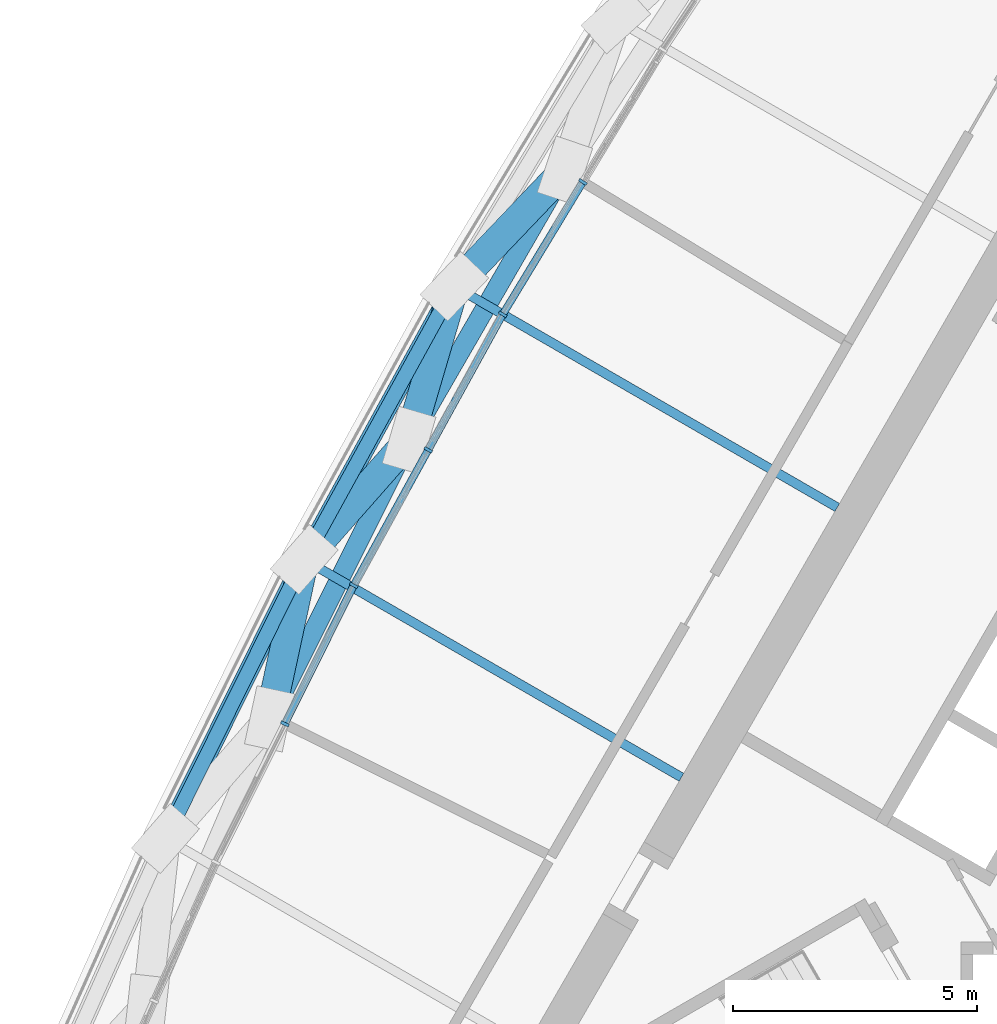
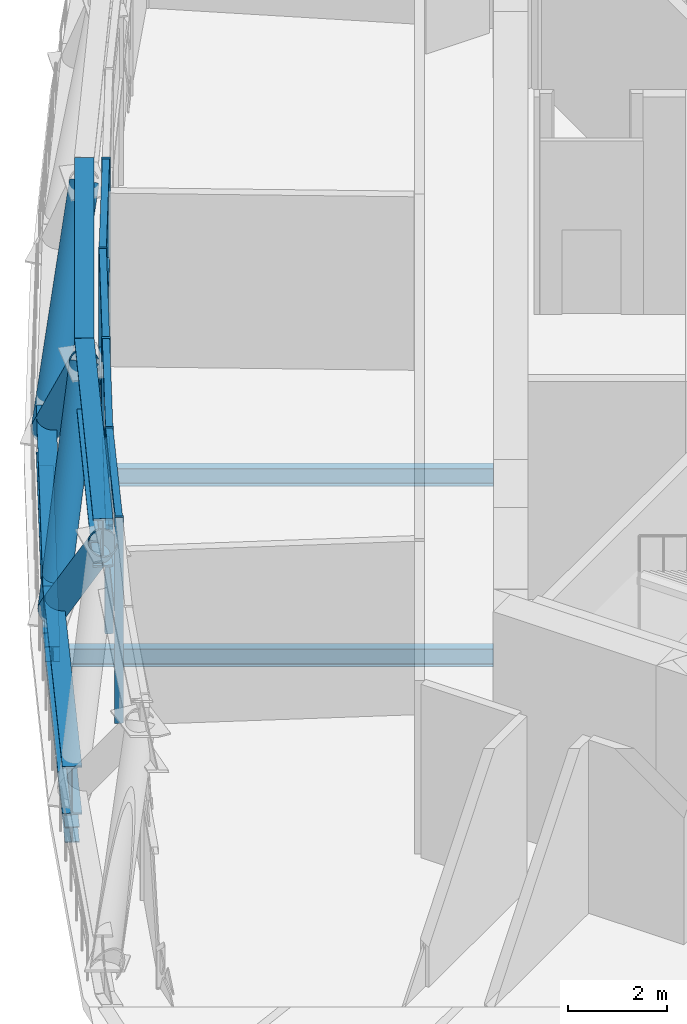
# One storey, part 4 of 33: 21 members, 4 beams, 1 element without a shape of its own.
"""IFC4 building model written with IfcOpenShell, lengths in metres."""

import ifcopenshell
import ifcopenshell.guid

model = None  # the IFC model being written
_history = None  # IfcOwnerHistory: only IFC2X3 demands one
_inside = {}  # id of a spatial element -> (the spatial element, [elements in it])
_under = {}  # id of a project, library or spatial element -> (it, [spatial elements below it])
_declared = {}  # id of a project -> (the project, [libraries it declares])
_typed = {}  # id of a type object -> (the type object, [elements of that type])
_made_of = {}  # id of a material, layer set ... -> (it, [elements and type objects made of it])


def new_model(schema):
    """Start an empty IFC model of exactly this schema.

    Asked for "IFC4X3", IfcOpenShell would pick the latest addendum, in which some entities
    have other attributes; the version numbers below select the first issue.
    IFC2X3 requires an IfcOwnerHistory on every rooted entity: one is made here for all.
    """
    global model, _history
    if schema == "IFC4X3":
        model = ifcopenshell.file(schema_version=(4, 3, 0, 0))
    else:
        model = ifcopenshell.file(schema=schema)
    _inside.clear()
    _under.clear()
    _declared.clear()
    _typed.clear()
    _made_of.clear()
    _history = None
    if model.schema == "IFC2X3":
        org = make("IfcOrganization", Name="unknown")
        user = make(
            "IfcPersonAndOrganization",
            ThePerson=make("IfcPerson", FamilyName="unknown"),
            TheOrganization=org,
        )
        app = make(
            "IfcApplication",
            ApplicationDeveloper=org,
            Version="unknown",
            ApplicationFullName="unknown",
            ApplicationIdentifier="unknown",
        )
        _history = make(
            "IfcOwnerHistory",
            OwningUser=user,
            OwningApplication=app,
            ChangeAction="ADDED",
            CreationDate=0,
        )
    return model


def make(cls, **values):
    """One entity of the class cls with the attributes given. An attribute that is None is left unset."""
    return model.create_entity(
        cls, **{name: value for name, value in values.items() if value is not None}
    )


def rooted(cls, **values):
    """An entity with a GlobalId (a new one), such as an element, a storey or a relation."""
    return make(cls, GlobalId=ifcopenshell.guid.new(), OwnerHistory=_history, **values)


def si_unit(unit_type, name, prefix=None):
    """IfcSIUnit, for example si_unit("LENGTHUNIT", "METRE", prefix="MILLI")."""
    return make("IfcSIUnit", UnitType=unit_type, Prefix=prefix, Name=name)


def assignment(units):
    """IfcUnitAssignment: the units of a project."""
    return None if units is None else make("IfcUnitAssignment", Units=units)


def point(xyz):
    """IfcCartesianPoint."""
    return None if xyz is None else make("IfcCartesianPoint", Coordinates=xyz)


def direction(xyz):
    """IfcDirection."""
    return None if xyz is None else make("IfcDirection", DirectionRatios=xyz)


def frame(location, z_axis=None, x_axis=None):
    """IfcAxis2Placement3D, a coordinate frame: its origin and axes. An axis left out is left unset."""
    return make(
        "IfcAxis2Placement3D",
        Location=point(location),
        Axis=direction(z_axis),
        RefDirection=direction(x_axis),
    )


def frame_2d(location, x_axis=None):
    """IfcAxis2Placement2D, a coordinate frame in the plane: its origin and x axis."""
    return make(
        "IfcAxis2Placement2D", Location=point(location), RefDirection=direction(x_axis)
    )


def origin():
    """The frame at (0, 0, 0) with its axes left unset."""
    return frame((0.0, 0.0, 0.0))


def origin_2d():
    """The frame at (0, 0) in the plane with its x axis left unset."""
    return frame_2d((0.0, 0.0))


def place(relative_to, where):
    """IfcLocalPlacement: puts the frame where relative to a parent placement (None: the world)."""
    return make(
        "IfcLocalPlacement", PlacementRelTo=relative_to, RelativePlacement=where
    )


def context(
    kind, dimensions, precision=None, world=None, true_north=None, identifier=None
):
    """IfcGeometricRepresentationContext, for example the 3D "Model" context."""
    return make(
        "IfcGeometricRepresentationContext",
        ContextIdentifier=identifier,
        ContextType=kind,
        CoordinateSpaceDimension=dimensions,
        Precision=precision,
        WorldCoordinateSystem=world,
        TrueNorth=true_north,
    )


def subcontext(parent, identifier, kind, view, scale=None):
    """IfcGeometricRepresentationSubContext, for example "Body" below "Model"."""
    return make(
        "IfcGeometricRepresentationSubContext",
        ContextIdentifier=identifier,
        ContextType=kind,
        ParentContext=parent,
        TargetScale=scale,
        TargetView=view,
    )


def project(units=None, contexts=None):
    """IfcProject with its units and contexts."""
    return rooted(
        "IfcProject",
        Name="project",
        RepresentationContexts=contexts,
        UnitsInContext=assignment(units),
    )


def spatial(cls, under=None, at=None, **own):
    """A site, building, storey or space (cls), placed at a placement, below another one or the project."""
    s = rooted(cls, ObjectPlacement=at, **own)
    if under is not None:
        _under.setdefault(under.id(), (under, []))[1].append(s)
    return s


def profile(cls, at=None, kind="AREA", **sizes):
    """A parametric profile (cls). Its sizes go by their IFC names, for example OverallWidth=200.0."""
    return make(cls, ProfileType=kind, Position=at, **sizes)


def rectangle(**sizes):
    """IfcRectangleProfileDef."""
    return profile("IfcRectangleProfileDef", **sizes)


def hollow_circle(**sizes):
    """IfcCircleHollowProfileDef."""
    return profile("IfcCircleHollowProfileDef", **sizes)


def i_section(**sizes):
    """IfcIShapeProfileDef."""
    return profile("IfcIShapeProfileDef", **sizes)


def extrude(swept, where, along, depth):
    """IfcExtrudedAreaSolid: the profile swept, set in the frame where, extruded along a direction by depth."""
    return make(
        "IfcExtrudedAreaSolid",
        SweptArea=swept,
        Position=where,
        ExtrudedDirection=direction(along),
        Depth=depth,
    )


def shape(context_of_items, identifier, shape_type, items):
    """IfcShapeRepresentation: the items that make up one representation, for example the "Body"."""
    return make(
        "IfcShapeRepresentation",
        ContextOfItems=context_of_items,
        RepresentationIdentifier=identifier,
        RepresentationType=shape_type,
        Items=items,
    )


def material(Name=None, Category=None):
    """IfcMaterial."""
    return make("IfcMaterial", Name=Name, Category=Category)


def material_profile(
    of_material, cross_section, Name=None, Category=None, Priority=None
):
    """IfcMaterialProfile: a cross section and its material."""
    return make(
        "IfcMaterialProfile",
        Name=Name,
        Material=of_material,
        Profile=cross_section,
        Priority=Priority,
        Category=Category,
    )


def profile_set(profiles, Name=None, composite=None):
    """IfcMaterialProfileSet."""
    return make(
        "IfcMaterialProfileSet",
        Name=Name,
        MaterialProfiles=profiles,
        CompositeProfile=composite,
    )


def made_of(thing, what):
    """Note that an element or type object is made of a material, layer set ...; save() writes the relation."""
    if what is not None:
        _made_of.setdefault(what.id(), (what, []))[1].append(thing)
    return thing


def type_object(cls, material=None, **own):
    """A type object (cls), such as IfcWallType, which elements share."""
    return made_of(rooted(cls, **own), material)


def element(
    cls,
    number,
    at=None,
    inside=None,
    cuts=None,
    type_object=None,
    material=None,
    context=None,
    identifier="Body",
    shape_type=None,
    held_by="IfcProductDefinitionShape",
    body=None,
    shapes=None,
    **own,
):
    """One element of the class cls, such as IfcWall. Its Tag is "e" and its number.

    at: its placement. inside: the storey or other place that contains it. cuts: it is an
    opening in that element (IfcRelVoidsElement). A single representation is given by context,
    identifier, shape_type and body (its items); several are given by shapes. held_by: the class
    of the entity that holds the representations. save() writes the other relations.
    """
    e = rooted(cls, Tag="e%d" % number, ObjectPlacement=at, **own)
    if body is not None:
        shapes = [shape(context, identifier, shape_type, body)]
    if shapes is not None:
        e.Representation = make(held_by, Representations=shapes)
    if inside is not None:
        _inside.setdefault(inside.id(), (inside, []))[1].append(e)
    if cuts is not None:
        rooted(
            "IfcRelVoidsElement", RelatingBuildingElement=cuts, RelatedOpeningElement=e
        )
    if type_object is not None:
        _typed.setdefault(type_object.id(), (type_object, []))[1].append(e)
    return made_of(e, material)


def aggregate(whole, parts):
    """IfcRelAggregates: a whole, such as a stair, and the parts it consists of."""
    return rooted("IfcRelAggregates", RelatingObject=whole, RelatedObjects=parts)


def save(model, path):
    """Write the relations noted so far, then the file.

    IfcRelAggregates (storeys below a building ...), IfcRelContainedInSpatialStructure (elements
    in a storey), IfcRelDefinesByType, IfcRelAssociatesMaterial and IfcRelDeclares: one each for
    every whole, place, type object, material and project.
    """
    for whole, parts in _under.values():
        aggregate(whole, parts)
    for where, things in _inside.values():
        rooted(
            "IfcRelContainedInSpatialStructure",
            RelatedElements=things,
            RelatingStructure=where,
        )
    for kind, things in _typed.values():
        rooted("IfcRelDefinesByType", RelatedObjects=things, RelatingType=kind)
    for what, things in _made_of.values():
        rooted("IfcRelAssociatesMaterial", RelatedObjects=things, RelatingMaterial=what)
    for by, libraries in _declared.values():
        rooted("IfcRelDeclares", RelatingContext=by, RelatedDefinitions=libraries)
    model.write(path)


model = new_model("IFC4")

# Units and contexts
model_context = context("Model", 3, precision=1e-05, world=origin(), true_north=direction((0.0, 1.0)))
body_context = subcontext(model_context, "Body", "Model", "MODEL_VIEW")
ifc_project = project(units=[si_unit("LENGTHUNIT", "METRE"), si_unit("AREAUNIT", "SQUARE_METRE"), si_unit("VOLUMEUNIT", "CUBIC_METRE"), si_unit("PLANEANGLEUNIT", "RADIAN"), si_unit("MASSUNIT", "GRAM", prefix="KILO")], contexts=[model_context])

# Site, building, storey
site_placement = place(None, origin())
site = spatial("IfcSite", under=ifc_project, at=site_placement, CompositionType="ELEMENT")
building_placement = place(site_placement, origin())
building = spatial("IfcBuilding", under=site, at=building_placement, Name="Mestral Congress Tower", CompositionType="ELEMENT")
storey_placement = place(building_placement, frame((0.0, 0.0, 256.199951171875)))
storey = spatial("IfcBuildingStorey", under=building, at=storey_placement, Name="L60", CompositionType="ELEMENT", Elevation=256.199951171875)

# Members
ifc_material_1 = material(Name="Steel S355", Category="steel")
ifc_material_profile_1 = material_profile(ifc_material_1, i_section(OverallWidth=0.39990234375, OverallDepth=1.199951171875, WebThickness=0.02001953125, FlangeThickness=0.0400390625, FilletRadius=0.010009765625, at=origin_2d()), Name="WPG 1200")
ifc_profile_set_1 = profile_set([ifc_material_profile_1], Name="Steel S355")
member_type_1 = type_object("IfcMemberType", Name="Belt chord WPG 1200 S355", PredefinedType="CHORD", material=ifc_profile_set_1)
member_1_placement = place(storey_placement, frame((-16.827392578125, 9.71533203125, 0.60009765625), z_axis=(-0.481936323111, -0.876206243111, 0.0), x_axis=(0.876206243111, -0.481936323111, 0.0)))
element("IfcMember", 1, at=member_1_placement, inside=storey, type_object=member_type_1, Name="MB-L60-BC4-W03", PredefinedType="CHORD", context=body_context, shape_type="SweptSolid", body=[
    extrude(i_section(OverallWidth=0.39990234375, OverallDepth=1.199951171875, WebThickness=0.02001953125, FlangeThickness=0.0400390625, FilletRadius=0.010009765625, at=origin_2d()), origin(), (0.0, 0.0, 1.0), 6.399658203125),
])
member_2_placement = place(storey_placement, frame((-19.91162109375, 4.10791015625, 0.60009765625), z_axis=(-0.445137018466, -0.895462469784, 0.0), x_axis=(0.895462469784, -0.445137018466, 0.0)))
element("IfcMember", 2, at=member_2_placement, inside=storey, type_object=member_type_1, Name="MB-L60-BC4-W04", PredefinedType="CHORD", context=body_context, shape_type="SweptSolid", body=[
    extrude(i_section(OverallWidth=0.39990234375, OverallDepth=1.199951171875, WebThickness=0.02001953125, FlangeThickness=0.0400390625, FilletRadius=0.010009765625, at=origin_2d()), origin(), (0.0, 0.0, 1.0), 6.3994140625),
])
for number, where, z_axis, x_axis, name in (
    (3, (-14.55615234375, 12.098388671875, 4.5), (-0.499992166441, -0.866029926444, 0.0), (0.866029926444, -0.499992166441, 0.0), "MB-L60-TC4-W02"),
    (4, (-17.755615234375, 6.556640625, 4.5), (-0.447457757693, -0.89430506824, 0.0), (0.89430506824, -0.447457757693, 0.0), "MB-L60-TC4-W03"),
):
    element("IfcMember", number, at=place(storey_placement, frame(where, z_axis=z_axis, x_axis=x_axis)), inside=storey, type_object=member_type_1, Name=name, PredefinedType="CHORD", context=body_context, shape_type="SweptSolid", body=[
        extrude(i_section(OverallWidth=0.39990234375, OverallDepth=1.199951171875, WebThickness=0.02001953125, FlangeThickness=0.0400390625, FilletRadius=0.010009765625, at=origin_2d()), origin(), (0.0, 0.0, 1.0), 6.39892578125),
    ])
ifc_material_profile_2 = material_profile(ifc_material_1, hollow_circle(Radius=0.304931640625, WallThickness=0.02490234375, at=origin_2d()), Name="CHS 610x25")
ifc_profile_set_2 = profile_set([ifc_material_profile_2], Name="Steel S355")
member_type_2 = type_object("IfcMemberType", Name="Belt diagonal CHS 610x25 S355", PredefinedType="BRACE", material=ifc_profile_set_2)
member_3_placement = place(storey_placement, frame((-16.827392578125, 9.71533203125, 0.60009765625), z_axis=(0.445027115684, 0.466936437299, 0.764147387503), x_axis=(-0.72388568225, 0.689919936684, 0.0)))
element("IfcMember", 5, at=member_3_placement, inside=storey, type_object=member_type_2, Name="MD-L60-BD4-W03.W02", PredefinedType="BRACE", context=body_context, shape_type="SweptSolid", body=[
    extrude(hollow_circle(Radius=0.304931640625, WallThickness=0.02490234375, at=origin_2d()), origin(), (0.0, 0.0, 1.0), 5.103515625),
])
member_4_placement = place(storey_placement, frame((-16.827392578125, 9.71533203125, 0.60009765625), z_axis=(-0.181871052819, -0.618897338604, 0.76412630135), x_axis=(0.959431601684, -0.281941486289, 0.0)))
element("IfcMember", 6, at=member_4_placement, inside=storey, type_object=member_type_2, Name="MD-L60-BD4-W03.W03", PredefinedType="BRACE", context=body_context, shape_type="SweptSolid", body=[
    extrude(hollow_circle(Radius=0.304931640625, WallThickness=0.02490234375, at=origin_2d()), origin(), (0.0, 0.0, 1.0), 5.103759765625),
])
member_5_placement = place(storey_placement, frame((-19.91162109375, 4.10791015625, 0.60009765625), z_axis=(0.424020709643, 0.481590727859, 0.766992052524), x_axis=(-0.750542780077, 0.660821863496, 0.0)))
element("IfcMember", 7, at=member_5_placement, inside=storey, type_object=member_type_2, Name="MD-L60-BD4-W04.W03", PredefinedType="BRACE", context=body_context, shape_type="SweptSolid", body=[
    extrude(hollow_circle(Radius=0.304931640625, WallThickness=0.02490234375, at=origin_2d()), origin(), (0.0, 0.0, 1.0), 5.084716796875),
])
member_6_placement = place(storey_placement, frame((-19.91162109375, 4.10791015625, 0.60009765625), z_axis=(-0.137580172419, -0.636848502638, 0.758614316267), x_axis=(0.977451180246, -0.211161526411, 0.0)))
element("IfcMember", 8, at=member_6_placement, inside=storey, type_object=member_type_2, Name="MD-L60-BD4-W04.W04", PredefinedType="BRACE", context=body_context, shape_type="SweptSolid", body=[
    extrude(hollow_circle(Radius=0.304931640625, WallThickness=0.02490234375, at=origin_2d()), origin(), (0.0, 0.0, 1.0), 5.140869140625),
])

# Curtain wall, members
ifc_material_2 = material(Name="Clear low-emissivity double glazing", Category="glass")
curtain_wall_type = type_object("IfcCurtainWallType", Name="Facade refuge band screen", PredefinedType="USERDEFINED", material=ifc_material_2)
curtain_wall_placement = place(storey_placement, origin())
curtain_wall = element("IfcCurtainWall", 9, at=curtain_wall_placement, inside=storey, type_object=curtain_wall_type, Name="Facade refuge band screen face 3", ObjectType="CURTAIN WALL", PredefinedType="USERDEFINED")
ifc_material_3 = material(Name="Anodised aluminium", Category="aluminium")
ifc_material_profile_3 = material_profile(ifc_material_3, rectangle(XDim=0.179931640625, YDim=0.06005859375, at=origin_2d()), Name="CW3 mullion 180 x 60")
ifc_profile_set_3 = profile_set([ifc_material_profile_3], Name="Anodised aluminium")
member_type_3 = type_object("IfcMemberType", Name="Facade refuge band screen mullion", PredefinedType="MULLION", material=ifc_profile_set_3)
member_7_placement = place(storey_placement, frame((-14.1865234375, 11.857177734375, 0.0), z_axis=(0.0, 0.0, 1.0), x_axis=(-0.855463698442, 0.517862781678, 0.0)))
member_7 = element("IfcMember", 10, at=member_7_placement, type_object=member_type_3, Name="Facade refuge band screen mullion", PredefinedType="MULLION", context=body_context, shape_type="SweptSolid", body=[
    extrude(rectangle(XDim=0.179931640625, YDim=0.06005859375, at=origin_2d()), origin(), (0.0, 0.0, 1.0), 5.10009765625),
])
member_8_placement = place(storey_placement, frame((-15.831298828125, 9.14013671875, 0.0), z_axis=(0.0, 0.0, 1.0), x_axis=(-0.866025403784, 0.5, 0.0)))
member_8 = element("IfcMember", 11, at=member_8_placement, type_object=member_type_3, Name="Facade refuge band screen mullion", PredefinedType="MULLION", context=body_context, shape_type="SweptSolid", body=[
    extrude(rectangle(XDim=0.179931640625, YDim=0.06005859375, at=origin_2d()), origin(), (0.0, 0.0, 1.0), 5.10009765625),
])
member_9_placement = place(storey_placement, frame((-17.36181640625, 6.357421875, 0.0), z_axis=(0.0, 0.0, 1.0), x_axis=(-0.876214173829, 0.481921904027, 0.0)))
member_9 = element("IfcMember", 12, at=member_9_placement, type_object=member_type_3, Name="Facade refuge band screen mullion", PredefinedType="MULLION", context=body_context, shape_type="SweptSolid", body=[
    extrude(rectangle(XDim=0.179931640625, YDim=0.06005859375, at=origin_2d()), origin(), (0.0, 0.0, 1.0), 5.10009765625),
])
member_10_placement = place(storey_placement, frame((-18.892333984375, 3.57470703125, 0.0), z_axis=(0.0, 0.0, 1.0), x_axis=(-0.886025621, 0.463636278705, 0.0)))
member_10 = element("IfcMember", 13, at=member_10_placement, type_object=member_type_3, Name="Facade refuge band screen mullion", PredefinedType="MULLION", context=body_context, shape_type="SweptSolid", body=[
    extrude(rectangle(XDim=0.179931640625, YDim=0.06005859375, at=origin_2d()), origin(), (0.0, 0.0, 1.0), 5.10009765625),
])
member_11_placement = place(storey_placement, frame((-20.30615234375, 0.730712890625, 0.0), z_axis=(0.0, 0.0, 1.0), x_axis=(-0.895456297142, 0.445149435481, 0.0)))
member_11 = element("IfcMember", 14, at=member_11_placement, type_object=member_type_3, Name="Facade refuge band screen mullion", PredefinedType="MULLION", context=body_context, shape_type="SweptSolid", body=[
    extrude(rectangle(XDim=0.179931640625, YDim=0.06005859375, at=origin_2d()), origin(), (0.0, 0.0, 1.0), 5.10009765625),
])
ifc_material_profile_4 = material_profile(ifc_material_3, rectangle(XDim=0.14990234375, YDim=0.1201171875, at=origin_2d()), Name="CW3 transom 150 x 120")
ifc_profile_set_4 = profile_set([ifc_material_profile_4], Name="Anodised aluminium")
member_type_4 = type_object("IfcMemberType", Name="Facade refuge band screen transom", PredefinedType="USERDEFINED", material=ifc_profile_set_4)
member_12_placement = place(storey_placement, frame((-14.2021484375, 11.831298828125, 2.60009765625), z_axis=(-0.517879647007, -0.855453488634, 0.0), x_axis=(0.855453488634, -0.517879647007, 0.0)))
member_12 = element("IfcMember", 15, at=member_12_placement, type_object=member_type_4, Name="Facade refuge band screen transom", ObjectType="TRANSOM", PredefinedType="USERDEFINED", context=body_context, shape_type="SweptSolid", body=[
    extrude(rectangle(XDim=0.14990234375, YDim=0.1201171875, at=origin_2d()), origin(), (0.0, 0.0, 1.0), 3.11572265625),
])
member_13_placement = place(storey_placement, frame((-14.2021484375, 11.831298828125, 5.0400390625), z_axis=(-0.517879647007, -0.855453488634, 0.0), x_axis=(0.855453488634, -0.517879647007, 0.0)))
member_13 = element("IfcMember", 16, at=member_13_placement, type_object=member_type_4, Name="Facade refuge band screen transom", ObjectType="TRANSOM", PredefinedType="USERDEFINED", context=body_context, shape_type="SweptSolid", body=[
    extrude(rectangle(XDim=0.14990234375, YDim=0.1201171875, at=origin_2d()), origin(), (0.0, 0.0, 1.0), 3.11572265625),
])
member_14_placement = place(storey_placement, frame((-15.845703125, 9.114013671875, 2.60009765625), z_axis=(-0.481939803767, -0.87620432865, 0.0), x_axis=(0.87620432865, -0.481939803767, 0.0)))
member_14 = element("IfcMember", 17, at=member_14_placement, type_object=member_type_4, Name="Facade refuge band screen transom", ObjectType="TRANSOM", PredefinedType="USERDEFINED", context=body_context, shape_type="SweptSolid", body=[
    extrude(rectangle(XDim=0.14990234375, YDim=0.1201171875, at=origin_2d()), origin(), (0.0, 0.0, 1.0), 3.115966796875),
])
member_15_placement = place(storey_placement, frame((-15.845703125, 9.114013671875, 5.0400390625), z_axis=(-0.481939803767, -0.87620432865, 0.0), x_axis=(0.87620432865, -0.481939803767, 0.0)))
member_15 = element("IfcMember", 18, at=member_15_placement, type_object=member_type_4, Name="Facade refuge band screen transom", ObjectType="TRANSOM", PredefinedType="USERDEFINED", context=body_context, shape_type="SweptSolid", body=[
    extrude(rectangle(XDim=0.14990234375, YDim=0.1201171875, at=origin_2d()), origin(), (0.0, 0.0, 1.0), 3.115966796875),
])
member_16_placement = place(storey_placement, frame((-17.376220703125, 6.3310546875, 2.60009765625), z_axis=(-0.481939803767, -0.87620432865, 0.0), x_axis=(0.87620432865, -0.481939803767, 0.0)))
member_16 = element("IfcMember", 19, at=member_16_placement, type_object=member_type_4, Name="Facade refuge band screen transom", ObjectType="TRANSOM", PredefinedType="USERDEFINED", context=body_context, shape_type="SweptSolid", body=[
    extrude(rectangle(XDim=0.14990234375, YDim=0.1201171875, at=origin_2d()), origin(), (0.0, 0.0, 1.0), 3.115966796875),
])
member_17_placement = place(storey_placement, frame((-17.376220703125, 6.3310546875, 5.0400390625), z_axis=(-0.481939803767, -0.87620432865, 0.0), x_axis=(0.87620432865, -0.481939803767, 0.0)))
member_17 = element("IfcMember", 20, at=member_17_placement, type_object=member_type_4, Name="Facade refuge band screen transom", ObjectType="TRANSOM", PredefinedType="USERDEFINED", context=body_context, shape_type="SweptSolid", body=[
    extrude(rectangle(XDim=0.14990234375, YDim=0.1201171875, at=origin_2d()), origin(), (0.0, 0.0, 1.0), 3.115966796875),
])
member_18_placement = place(storey_placement, frame((-18.90576171875, 3.5478515625, 2.60009765625), z_axis=(-0.445112553823, -0.895474630813, 0.0), x_axis=(0.895474630813, -0.445112553823, 0.0)))
member_18 = element("IfcMember", 21, at=member_18_placement, type_object=member_type_4, Name="Facade refuge band screen transom", ObjectType="TRANSOM", PredefinedType="USERDEFINED", context=body_context, shape_type="SweptSolid", body=[
    extrude(rectangle(XDim=0.14990234375, YDim=0.1201171875, at=origin_2d()), origin(), (0.0, 0.0, 1.0), 3.115966796875),
])
member_19_placement = place(storey_placement, frame((-18.90576171875, 3.5478515625, 5.0400390625), z_axis=(-0.445112553823, -0.895474630813, 0.0), x_axis=(0.895474630813, -0.445112553823, 0.0)))
member_19 = element("IfcMember", 22, at=member_19_placement, type_object=member_type_4, Name="Facade refuge band screen transom", ObjectType="TRANSOM", PredefinedType="USERDEFINED", context=body_context, shape_type="SweptSolid", body=[
    extrude(rectangle(XDim=0.14990234375, YDim=0.1201171875, at=origin_2d()), origin(), (0.0, 0.0, 1.0), 3.115966796875),
])
aggregate(curtain_wall, [member_7, member_8, member_9, member_10, member_11, member_12, member_13, member_14, member_15, member_16, member_17, member_18, member_19])

# Beams
ifc_material_profile_5 = material_profile(ifc_material_1, i_section(OverallWidth=0.18994140625, OverallDepth=0.449951171875, WebThickness=0.009521484375, FlangeThickness=0.0146484375, FilletRadius=0.02099609375, at=origin_2d()), Name="IPE 450")
ifc_profile_set_5 = profile_set([ifc_material_profile_5], Name="Steel S355")
beam_type_1 = type_object("IfcBeamType", Name="Floor beam IPE 450 S355", PredefinedType="BEAM", material=ifc_profile_set_5)
beam_1_placement = place(storey_placement, frame((-16.827392578125, 9.71533203125, -0.52490234375), z_axis=(0.866025747466, -0.499999404726, 0.0), x_axis=(0.499999404726, 0.866025747466, 0.0)))
element("IfcBeam", 23, at=beam_1_placement, inside=storey, type_object=beam_type_1, Name="BM-L60-RB4-W03", PredefinedType="BEAM", context=body_context, shape_type="SweptSolid", body=[
    extrude(i_section(OverallWidth=0.18994140625, OverallDepth=0.449951171875, WebThickness=0.009521484375, FlangeThickness=0.0146484375, FilletRadius=0.02099609375, at=origin_2d()), origin(), (0.0, 0.0, 1.0), 9.08056640625),
])
beam_2_placement = place(storey_placement, frame((-19.91162109375, 4.10791015625, -0.52490234375), z_axis=(0.866033377201, -0.499986189383, 0.0), x_axis=(0.499986189383, 0.866033377201, 0.0)))
element("IfcBeam", 24, at=beam_2_placement, inside=storey, type_object=beam_type_1, Name="BM-L60-RB4-W04", PredefinedType="BEAM", context=body_context, shape_type="SweptSolid", body=[
    extrude(i_section(OverallWidth=0.18994140625, OverallDepth=0.449951171875, WebThickness=0.009521484375, FlangeThickness=0.0146484375, FilletRadius=0.02099609375, at=origin_2d()), origin(), (0.0, 0.0, 1.0), 8.947998046875),
])
ifc_material_profile_6 = material_profile(ifc_material_1, i_section(OverallWidth=0.300048828125, OverallDepth=0.389892578125, WebThickness=0.010986328125, FlangeThickness=0.01904296875, FilletRadius=0.027099609375, at=origin_2d()), Name="HEA 400")
ifc_profile_set_6 = profile_set([ifc_material_profile_6], Name="Steel S355")
beam_type_2 = type_object("IfcBeamType", Name="Spandrel beam HEA 400 S355", PredefinedType="BEAM", material=ifc_profile_set_6)
beam_3_placement = place(storey_placement, frame((-16.827392578125, 9.71533203125, -0.494873046875), z_axis=(-0.481936323111, -0.876206243111, 0.0), x_axis=(0.876206243111, -0.481936323111, 0.0)))
element("IfcBeam", 25, at=beam_3_placement, inside=storey, type_object=beam_type_2, Name="SP-L60-SB4-W03", PredefinedType="BEAM", context=body_context, shape_type="SweptSolid", body=[
    extrude(i_section(OverallWidth=0.300048828125, OverallDepth=0.389892578125, WebThickness=0.010986328125, FlangeThickness=0.01904296875, FilletRadius=0.027099609375, at=origin_2d()), origin(), (0.0, 0.0, 1.0), 6.399658203125),
])
beam_4_placement = place(storey_placement, frame((-19.91162109375, 4.10791015625, -0.494873046875), z_axis=(-0.445137018466, -0.895462469784, 0.0), x_axis=(0.895462469784, -0.445137018466, 0.0)))
element("IfcBeam", 26, at=beam_4_placement, inside=storey, type_object=beam_type_2, Name="SP-L60-SB4-W04", PredefinedType="BEAM", context=body_context, shape_type="SweptSolid", body=[
    extrude(i_section(OverallWidth=0.300048828125, OverallDepth=0.389892578125, WebThickness=0.010986328125, FlangeThickness=0.01904296875, FilletRadius=0.027099609375, at=origin_2d()), origin(), (0.0, 0.0, 1.0), 6.3994140625),
])

save(model, "model.ifc")
